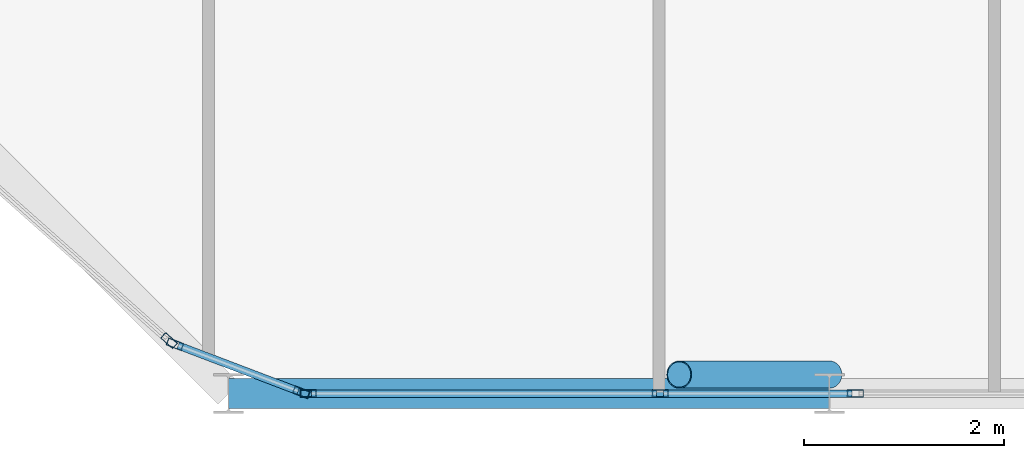
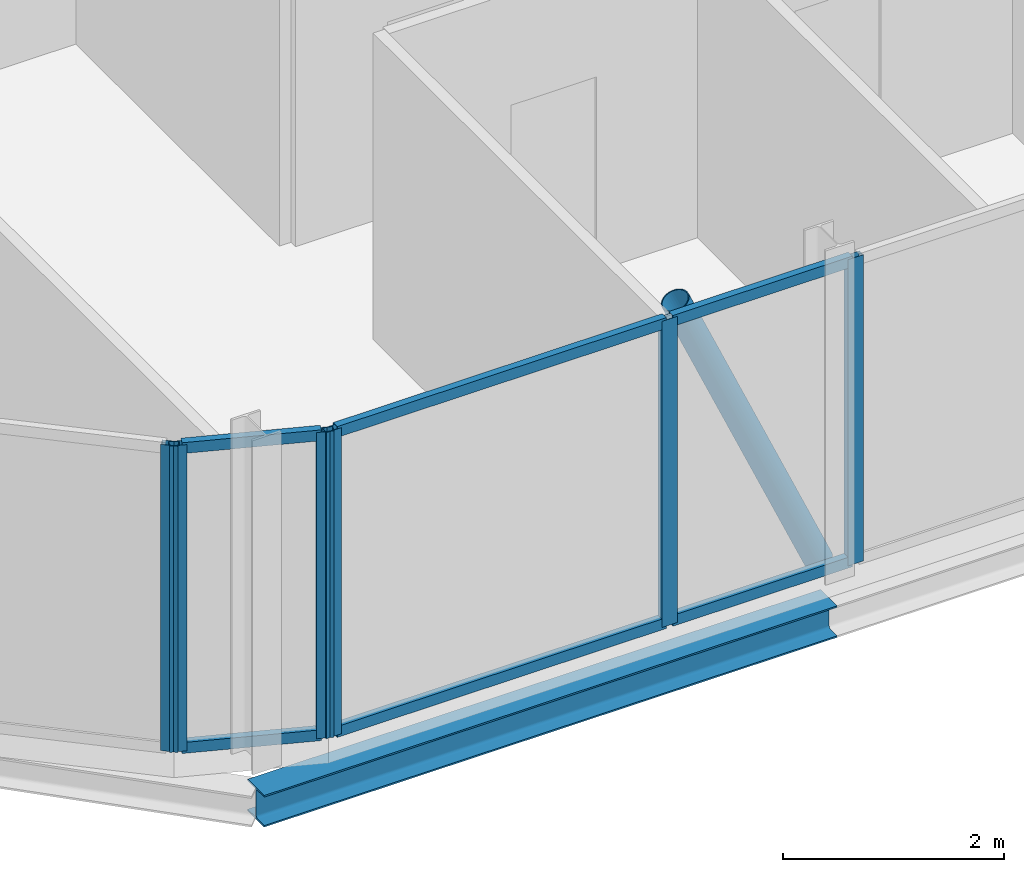
# One storey, part 6 of 27: 13 members, 1 beam, 5 elements without a shape of their own.
"""IFC4 building model written with IfcOpenShell, lengths in metres."""

import ifcopenshell
import ifcopenshell.guid

model = None  # the IFC model being written
_history = None  # IfcOwnerHistory: only IFC2X3 demands one
_inside = {}  # id of a spatial element -> (the spatial element, [elements in it])
_under = {}  # id of a project, library or spatial element -> (it, [spatial elements below it])
_declared = {}  # id of a project -> (the project, [libraries it declares])
_typed = {}  # id of a type object -> (the type object, [elements of that type])
_made_of = {}  # id of a material, layer set ... -> (it, [elements and type objects made of it])


def new_model(schema):
    """Start an empty IFC model of exactly this schema.

    Asked for "IFC4X3", IfcOpenShell would pick the latest addendum, in which some entities
    have other attributes; the version numbers below select the first issue.
    IFC2X3 requires an IfcOwnerHistory on every rooted entity: one is made here for all.
    """
    global model, _history
    if schema == "IFC4X3":
        model = ifcopenshell.file(schema_version=(4, 3, 0, 0))
    else:
        model = ifcopenshell.file(schema=schema)
    _inside.clear()
    _under.clear()
    _declared.clear()
    _typed.clear()
    _made_of.clear()
    _history = None
    if model.schema == "IFC2X3":
        org = make("IfcOrganization", Name="unknown")
        user = make(
            "IfcPersonAndOrganization",
            ThePerson=make("IfcPerson", FamilyName="unknown"),
            TheOrganization=org,
        )
        app = make(
            "IfcApplication",
            ApplicationDeveloper=org,
            Version="unknown",
            ApplicationFullName="unknown",
            ApplicationIdentifier="unknown",
        )
        _history = make(
            "IfcOwnerHistory",
            OwningUser=user,
            OwningApplication=app,
            ChangeAction="ADDED",
            CreationDate=0,
        )
    return model


def make(cls, **values):
    """One entity of the class cls with the attributes given. An attribute that is None is left unset."""
    return model.create_entity(
        cls, **{name: value for name, value in values.items() if value is not None}
    )


def rooted(cls, **values):
    """An entity with a GlobalId (a new one), such as an element, a storey or a relation."""
    return make(cls, GlobalId=ifcopenshell.guid.new(), OwnerHistory=_history, **values)


def si_unit(unit_type, name, prefix=None):
    """IfcSIUnit, for example si_unit("LENGTHUNIT", "METRE", prefix="MILLI")."""
    return make("IfcSIUnit", UnitType=unit_type, Prefix=prefix, Name=name)


def assignment(units):
    """IfcUnitAssignment: the units of a project."""
    return None if units is None else make("IfcUnitAssignment", Units=units)


def point(xyz):
    """IfcCartesianPoint."""
    return None if xyz is None else make("IfcCartesianPoint", Coordinates=xyz)


def direction(xyz):
    """IfcDirection."""
    return None if xyz is None else make("IfcDirection", DirectionRatios=xyz)


def frame(location, z_axis=None, x_axis=None):
    """IfcAxis2Placement3D, a coordinate frame: its origin and axes. An axis left out is left unset."""
    return make(
        "IfcAxis2Placement3D",
        Location=point(location),
        Axis=direction(z_axis),
        RefDirection=direction(x_axis),
    )


def frame_2d(location, x_axis=None):
    """IfcAxis2Placement2D, a coordinate frame in the plane: its origin and x axis."""
    return make(
        "IfcAxis2Placement2D", Location=point(location), RefDirection=direction(x_axis)
    )


def origin():
    """The frame at (0, 0, 0) with its axes left unset."""
    return frame((0.0, 0.0, 0.0))


def origin_2d():
    """The frame at (0, 0) in the plane with its x axis left unset."""
    return frame_2d((0.0, 0.0))


def place(relative_to, where):
    """IfcLocalPlacement: puts the frame where relative to a parent placement (None: the world)."""
    return make(
        "IfcLocalPlacement", PlacementRelTo=relative_to, RelativePlacement=where
    )


def context(
    kind, dimensions, precision=None, world=None, true_north=None, identifier=None
):
    """IfcGeometricRepresentationContext, for example the 3D "Model" context."""
    return make(
        "IfcGeometricRepresentationContext",
        ContextIdentifier=identifier,
        ContextType=kind,
        CoordinateSpaceDimension=dimensions,
        Precision=precision,
        WorldCoordinateSystem=world,
        TrueNorth=true_north,
    )


def subcontext(parent, identifier, kind, view, scale=None):
    """IfcGeometricRepresentationSubContext, for example "Body" below "Model"."""
    return make(
        "IfcGeometricRepresentationSubContext",
        ContextIdentifier=identifier,
        ContextType=kind,
        ParentContext=parent,
        TargetScale=scale,
        TargetView=view,
    )


def project(units=None, contexts=None):
    """IfcProject with its units and contexts."""
    return rooted(
        "IfcProject",
        Name="project",
        RepresentationContexts=contexts,
        UnitsInContext=assignment(units),
    )


def spatial(cls, under=None, at=None, **own):
    """A site, building, storey or space (cls), placed at a placement, below another one or the project."""
    s = rooted(cls, ObjectPlacement=at, **own)
    if under is not None:
        _under.setdefault(under.id(), (under, []))[1].append(s)
    return s


def profile(cls, at=None, kind="AREA", **sizes):
    """A parametric profile (cls). Its sizes go by their IFC names, for example OverallWidth=200.0."""
    return make(cls, ProfileType=kind, Position=at, **sizes)


def hollow_rectangle(**sizes):
    """IfcRectangleHollowProfileDef."""
    return profile("IfcRectangleHollowProfileDef", **sizes)


def hollow_circle(**sizes):
    """IfcCircleHollowProfileDef."""
    return profile("IfcCircleHollowProfileDef", **sizes)


def i_section(**sizes):
    """IfcIShapeProfileDef."""
    return profile("IfcIShapeProfileDef", **sizes)


def extrude(swept, where, along, depth):
    """IfcExtrudedAreaSolid: the profile swept, set in the frame where, extruded along a direction by depth."""
    return make(
        "IfcExtrudedAreaSolid",
        SweptArea=swept,
        Position=where,
        ExtrudedDirection=direction(along),
        Depth=depth,
    )


def shape(context_of_items, identifier, shape_type, items):
    """IfcShapeRepresentation: the items that make up one representation, for example the "Body"."""
    return make(
        "IfcShapeRepresentation",
        ContextOfItems=context_of_items,
        RepresentationIdentifier=identifier,
        RepresentationType=shape_type,
        Items=items,
    )


def material(Name=None, Category=None):
    """IfcMaterial."""
    return make("IfcMaterial", Name=Name, Category=Category)


def layer(
    of_material, thickness, ventilated=None, Name=None, Category=None, Priority=None
):
    """IfcMaterialLayer: one layer of a wall or slab, of a material (None: an air gap)."""
    return make(
        "IfcMaterialLayer",
        Material=of_material,
        LayerThickness=thickness,
        IsVentilated=ventilated,
        Name=Name,
        Category=Category,
        Priority=Priority,
    )


def layer_set(layers, Name=None):
    """IfcMaterialLayerSet."""
    return make("IfcMaterialLayerSet", MaterialLayers=layers, LayerSetName=Name)


def material_profile(
    of_material, cross_section, Name=None, Category=None, Priority=None
):
    """IfcMaterialProfile: a cross section and its material."""
    return make(
        "IfcMaterialProfile",
        Name=Name,
        Material=of_material,
        Profile=cross_section,
        Priority=Priority,
        Category=Category,
    )


def profile_set(profiles, Name=None, composite=None):
    """IfcMaterialProfileSet."""
    return make(
        "IfcMaterialProfileSet",
        Name=Name,
        MaterialProfiles=profiles,
        CompositeProfile=composite,
    )


def made_of(thing, what):
    """Note that an element or type object is made of a material, layer set ...; save() writes the relation."""
    if what is not None:
        _made_of.setdefault(what.id(), (what, []))[1].append(thing)
    return thing


def type_object(cls, material=None, **own):
    """A type object (cls), such as IfcWallType, which elements share."""
    return made_of(rooted(cls, **own), material)


def element(
    cls,
    number,
    at=None,
    inside=None,
    cuts=None,
    type_object=None,
    material=None,
    context=None,
    identifier="Body",
    shape_type=None,
    held_by="IfcProductDefinitionShape",
    body=None,
    shapes=None,
    **own,
):
    """One element of the class cls, such as IfcWall. Its Tag is "e" and its number.

    at: its placement. inside: the storey or other place that contains it. cuts: it is an
    opening in that element (IfcRelVoidsElement). A single representation is given by context,
    identifier, shape_type and body (its items); several are given by shapes. held_by: the class
    of the entity that holds the representations. save() writes the other relations.
    """
    e = rooted(cls, Tag="e%d" % number, ObjectPlacement=at, **own)
    if body is not None:
        shapes = [shape(context, identifier, shape_type, body)]
    if shapes is not None:
        e.Representation = make(held_by, Representations=shapes)
    if inside is not None:
        _inside.setdefault(inside.id(), (inside, []))[1].append(e)
    if cuts is not None:
        rooted(
            "IfcRelVoidsElement", RelatingBuildingElement=cuts, RelatedOpeningElement=e
        )
    if type_object is not None:
        _typed.setdefault(type_object.id(), (type_object, []))[1].append(e)
    return made_of(e, material)


def aggregate(whole, parts):
    """IfcRelAggregates: a whole, such as a stair, and the parts it consists of."""
    return rooted("IfcRelAggregates", RelatingObject=whole, RelatedObjects=parts)


def save(model, path):
    """Write the relations noted so far, then the file.

    IfcRelAggregates (storeys below a building ...), IfcRelContainedInSpatialStructure (elements
    in a storey), IfcRelDefinesByType, IfcRelAssociatesMaterial and IfcRelDeclares: one each for
    every whole, place, type object, material and project.
    """
    for whole, parts in _under.values():
        aggregate(whole, parts)
    for where, things in _inside.values():
        rooted(
            "IfcRelContainedInSpatialStructure",
            RelatedElements=things,
            RelatingStructure=where,
        )
    for kind, things in _typed.values():
        rooted("IfcRelDefinesByType", RelatedObjects=things, RelatingType=kind)
    for what, things in _made_of.values():
        rooted("IfcRelAssociatesMaterial", RelatedObjects=things, RelatingMaterial=what)
    for by, libraries in _declared.values():
        rooted("IfcRelDeclares", RelatingContext=by, RelatedDefinitions=libraries)
    model.write(path)


model = new_model("IFC4")

# Units and contexts
model_context = context("Model", 3, precision=1e-05, world=origin(), true_north=direction((0.0, 1.0)))
body_context = subcontext(model_context, "Body", "Model", "MODEL_VIEW")
ifc_project = project(units=[si_unit("LENGTHUNIT", "METRE"), si_unit("AREAUNIT", "SQUARE_METRE"), si_unit("VOLUMEUNIT", "CUBIC_METRE"), si_unit("PLANEANGLEUNIT", "RADIAN"), si_unit("MASSUNIT", "GRAM", prefix="KILO")], contexts=[model_context])

# Site, building, storey
site_placement = place(None, origin())
site = spatial("IfcSite", under=ifc_project, at=site_placement, CompositionType="ELEMENT")
building_placement = place(site_placement, origin())
building = spatial("IfcBuilding", under=site, at=building_placement, Name="Keshet Zoharim Tower", CompositionType="ELEMENT")
storey_placement = place(building_placement, frame((0.0, 0.0, 254.699951171875)))
storey = spatial("IfcBuildingStorey", under=building, at=storey_placement, Name="L63", CompositionType="ELEMENT", Elevation=254.699951171875)

# Beam
ifc_material_1 = material(Name="Steel S355", Category="steel")
ifc_material_profile_1 = material_profile(ifc_material_1, i_section(OverallWidth=0.300048828125, OverallDepth=0.35009765625, WebThickness=0.010009765625, FlangeThickness=0.017578125, FilletRadius=0.027099609375, at=origin_2d()), Name="HEA360")
ifc_profile_set_1 = profile_set([ifc_material_profile_1], Name="Steel S355")
beam_type = type_object("IfcBeamType", Name="BM-PRI-HA360", PredefinedType="BEAM", material=ifc_profile_set_1)
beam_placement = place(storey_placement, frame((21.0, 6.699951171875, -0.48486328125), z_axis=(1.0, 0.0, 0.0), x_axis=(0.0, 1.0, 0.0)))
element("IfcBeam", 1, at=beam_placement, inside=storey, type_object=beam_type, Name="L63 Primary Girder X-001", PredefinedType="BEAM", context=body_context, shape_type="SweptSolid", body=[
    extrude(i_section(OverallWidth=0.300048828125, OverallDepth=0.35009765625, WebThickness=0.010009765625, FlangeThickness=0.017578125, FilletRadius=0.027099609375, at=origin_2d()), origin(), (0.0, 0.0, 1.0), 6.0),
])

# Curtain wall, member
ifc_material_2 = material(Name="Aluminium 6063-T6", Category="aluminium")
ifc_layer = layer(ifc_material_2, 0.260009765625)
ifc_layer_set = layer_set([ifc_layer], Name="Aluminium 6063-T6")
curtain_wall_type = type_object("IfcCurtainWallType", Name="CW-SYS-06", PredefinedType="NOTDEFINED", material=ifc_layer_set)
curtain_wall_1_placement = place(storey_placement, origin())
curtain_wall_1 = element("IfcCurtainWall", 2, at=curtain_wall_1_placement, inside=storey, type_object=curtain_wall_type, Name="L63 Unitised Curtain Wall 14", PredefinedType="NOTDEFINED")
ifc_material_profile_2 = material_profile(ifc_material_2, hollow_rectangle(XDim=0.074951171875, YDim=0.159912109375, WallThickness=0.00390625, at=origin_2d()), Name="MUL-75x160")
ifc_profile_set_2 = profile_set([ifc_material_profile_2], Name="Aluminium 6063-T6")
member_type_1 = type_object("IfcMemberType", Name="CWM-M15", PredefinedType="MULLION", material=ifc_profile_set_2)
member_1_placement = place(storey_placement, frame((27.259765625, 6.699951171875, 0.0), z_axis=(0.0, 0.0, 1.0), x_axis=(0.0, -1.0, 0.0)))
member_1 = element("IfcMember", 3, at=member_1_placement, type_object=member_type_1, Name="CW-06 mullion 2", PredefinedType="MULLION", context=body_context, shape_type="SweptSolid", body=[
    extrude(hollow_rectangle(XDim=0.074951171875, YDim=0.159912109375, WallThickness=0.00390625, at=origin_2d()), origin(), (0.0, 0.0, 1.0), 3.39013671875),
])
aggregate(curtain_wall_1, [member_1])

curtain_wall_2_placement = place(storey_placement, origin())
curtain_wall_2 = element("IfcCurtainWall", 4, at=curtain_wall_2_placement, inside=storey, type_object=curtain_wall_type, Name="L63 Unitised Curtain Wall 14 Part 2", PredefinedType="NOTDEFINED")
member_2_placement = place(storey_placement, frame((25.310302734375, 6.699951171875, 0.0), z_axis=(0.0, 0.0, 1.0), x_axis=(0.0, -1.0, 0.0)))
member_2 = element("IfcMember", 5, at=member_2_placement, type_object=member_type_1, Name="CW-06 mullion 2", PredefinedType="MULLION", context=body_context, shape_type="SweptSolid", body=[
    extrude(hollow_rectangle(XDim=0.074951171875, YDim=0.159912109375, WallThickness=0.00390625, at=origin_2d()), origin(), (0.0, 0.0, 1.0), 3.39013671875),
])

curtain_wall_3_placement = place(storey_placement, origin())
curtain_wall_3 = element("IfcCurtainWall", 6, at=curtain_wall_3_placement, inside=storey, type_object=curtain_wall_type, Name="L63 Unitised Curtain Wall 14 Part 3", PredefinedType="NOTDEFINED")
member_3_placement = place(storey_placement, frame((21.794921875, 6.699951171875, 0.0), z_axis=(0.0, 0.0, 1.0), x_axis=(0.0, -1.0, 0.0)))
member_3 = element("IfcMember", 7, at=member_3_placement, type_object=member_type_1, Name="CW-06 mullion 2", PredefinedType="MULLION", context=body_context, shape_type="SweptSolid", body=[
    extrude(hollow_rectangle(XDim=0.074951171875, YDim=0.159912109375, WallThickness=0.00390625, at=origin_2d()), origin(), (0.0, 0.0, 1.0), 3.39013671875),
])

# Curtain wall, members
curtain_wall_4_placement = place(storey_placement, origin())
curtain_wall_4 = element("IfcCurtainWall", 8, at=curtain_wall_4_placement, inside=storey, type_object=curtain_wall_type, Name="L63 Unitised Curtain Wall 15", PredefinedType="NOTDEFINED")
member_4_placement = place(storey_placement, frame((21.727294921875, 6.71240234375, 0.0), z_axis=(0.0, 0.0, 1.0), x_axis=(-0.355439161326, -0.934699418314, 0.0)))
member_4 = element("IfcMember", 9, at=member_4_placement, type_object=member_type_1, Name="CW-06 mullion 1", PredefinedType="MULLION", context=body_context, shape_type="SweptSolid", body=[
    extrude(hollow_rectangle(XDim=0.074951171875, YDim=0.159912109375, WallThickness=0.00390625, at=origin_2d()), origin(), (0.0, 0.0, 1.0), 3.39013671875),
])
member_5_placement = place(storey_placement, frame((20.464599609375, 7.192626953125, 0.0), z_axis=(0.0, 0.0, 1.0), x_axis=(-0.355439161326, -0.934699418314, 0.0)))
member_5 = element("IfcMember", 10, at=member_5_placement, type_object=member_type_1, Name="CW-06 mullion 2", PredefinedType="MULLION", context=body_context, shape_type="SweptSolid", body=[
    extrude(hollow_rectangle(XDim=0.074951171875, YDim=0.159912109375, WallThickness=0.00390625, at=origin_2d()), origin(), (0.0, 0.0, 1.0), 3.39013671875),
])

# Curtain wall, member
curtain_wall_5_placement = place(storey_placement, origin())
curtain_wall_5 = element("IfcCurtainWall", 11, at=curtain_wall_5_placement, inside=storey, type_object=curtain_wall_type, Name="L63 Unitised Curtain Wall 16", PredefinedType="NOTDEFINED")
member_6_placement = place(storey_placement, frame((20.40576171875, 7.228271484375, 0.0), z_axis=(0.0, 0.0, 1.0), x_axis=(-0.664362180559, -0.747410792699, 0.0)))
member_6 = element("IfcMember", 12, at=member_6_placement, type_object=member_type_1, Name="CW-06 mullion 1", PredefinedType="MULLION", context=body_context, shape_type="SweptSolid", body=[
    extrude(hollow_rectangle(XDim=0.074951171875, YDim=0.159912109375, WallThickness=0.00390625, at=origin_2d()), origin(), (0.0, 0.0, 1.0), 3.39013671875),
])
aggregate(curtain_wall_5, [member_6])

# Member
ifc_material_profile_3 = material_profile(ifc_material_2, hollow_rectangle(XDim=0.074951171875, YDim=0.1201171875, WallThickness=0.00390625, at=origin_2d()), Name="TRN-75x120")
ifc_profile_set_3 = profile_set([ifc_material_profile_3], Name="Aluminium 6063-T6")
member_type_2 = type_object("IfcMemberType", Name="CWT-T12", PredefinedType="USERDEFINED", material=ifc_profile_set_3)
member_7_placement = place(storey_placement, frame((27.224853515625, 6.699951171875, 0.03515625), z_axis=(-1.0, 0.0, 0.0), x_axis=(0.0, -1.0, 0.0)))
member_7 = element("IfcMember", 13, at=member_7_placement, type_object=member_type_2, Name="CW-06 transom 1.1", ObjectType="TRANSOM", PredefinedType="USERDEFINED", context=body_context, shape_type="SweptSolid", body=[
    extrude(hollow_rectangle(XDim=0.074951171875, YDim=0.1201171875, WallThickness=0.00390625, at=origin_2d()), origin(), (0.0, 0.0, 1.0), 1.879638671875),
])

member_8_placement = place(storey_placement, frame((27.224853515625, 6.699951171875, 3.35498046875), z_axis=(-1.0, 0.0, 0.0), x_axis=(0.0, -1.0, 0.0)))
member_8 = element("IfcMember", 14, at=member_8_placement, type_object=member_type_2, Name="CW-06 transom 1.2", ObjectType="TRANSOM", PredefinedType="USERDEFINED", context=body_context, shape_type="SweptSolid", body=[
    extrude(hollow_rectangle(XDim=0.074951171875, YDim=0.1201171875, WallThickness=0.00390625, at=origin_2d()), origin(), (0.0, 0.0, 1.0), 1.879638671875),
])

aggregate(curtain_wall_2, [member_2, member_7, member_8])

member_9_placement = place(storey_placement, frame((25.275146484375, 6.699951171875, 0.03515625), z_axis=(-1.0, 0.0, 0.0), x_axis=(0.0, -1.0, 0.0)))
member_9 = element("IfcMember", 15, at=member_9_placement, type_object=member_type_2, Name="CW-06 transom 1.1", ObjectType="TRANSOM", PredefinedType="USERDEFINED", context=body_context, shape_type="SweptSolid", body=[
    extrude(hollow_rectangle(XDim=0.074951171875, YDim=0.1201171875, WallThickness=0.00390625, at=origin_2d()), origin(), (0.0, 0.0, 1.0), 3.445068359375),
])

member_10_placement = place(storey_placement, frame((25.275146484375, 6.699951171875, 3.35498046875), z_axis=(-1.0, 0.0, 0.0), x_axis=(0.0, -1.0, 0.0)))
member_10 = element("IfcMember", 16, at=member_10_placement, type_object=member_type_2, Name="CW-06 transom 1.2", ObjectType="TRANSOM", PredefinedType="USERDEFINED", context=body_context, shape_type="SweptSolid", body=[
    extrude(hollow_rectangle(XDim=0.074951171875, YDim=0.1201171875, WallThickness=0.00390625, at=origin_2d()), origin(), (0.0, 0.0, 1.0), 3.445068359375),
])

aggregate(curtain_wall_3, [member_3, member_9, member_10])

member_11_placement = place(storey_placement, frame((21.694580078125, 6.724853515625, 0.03515625), z_axis=(-0.934689881536, 0.355464239206, 0.0), x_axis=(-0.355464239206, -0.934689881536, 0.0)))
member_11 = element("IfcMember", 17, at=member_11_placement, type_object=member_type_2, Name="CW-06 transom 1.1", ObjectType="TRANSOM", PredefinedType="USERDEFINED", context=body_context, shape_type="SweptSolid", body=[
    extrude(hollow_rectangle(XDim=0.074951171875, YDim=0.1201171875, WallThickness=0.00390625, at=origin_2d()), origin(), (0.0, 0.0, 1.0), 1.281005859375),
])

member_12_placement = place(storey_placement, frame((21.694580078125, 6.724853515625, 3.35498046875), z_axis=(-0.934689881536, 0.355464239206, 0.0), x_axis=(-0.355464239206, -0.934689881536, 0.0)))
member_12 = element("IfcMember", 18, at=member_12_placement, type_object=member_type_2, Name="CW-06 transom 1.2", ObjectType="TRANSOM", PredefinedType="USERDEFINED", context=body_context, shape_type="SweptSolid", body=[
    extrude(hollow_rectangle(XDim=0.074951171875, YDim=0.1201171875, WallThickness=0.00390625, at=origin_2d()), origin(), (0.0, 0.0, 1.0), 1.281005859375),
])

aggregate(curtain_wall_4, [member_4, member_5, member_11, member_12])

ifc_material_profile_4 = material_profile(ifc_material_1, hollow_circle(Radius=0.136474609375, WallThickness=0.010009765625, at=origin_2d()), Name="CHS273x10")
ifc_profile_set_4 = profile_set([ifc_material_profile_4], Name="Steel S355")
member_type_3 = type_object("IfcMemberType", Name="MB-BR-C273", PredefinedType="BRACE", material=ifc_profile_set_4)
member_13_placement = place(storey_placement, frame((27.0, 6.889892578125, 0.0), z_axis=(-0.404622528463, 0.0, 0.914483793984), x_axis=(0.0, -1.0, 0.0)))
element("IfcMember", 19, at=member_13_placement, inside=storey, type_object=member_type_3, Name="L63 Perimeter Tube Brace 02", PredefinedType="BRACE", context=body_context, shape_type="SweptSolid", body=[
    extrude(hollow_circle(Radius=0.136474609375, WallThickness=0.010009765625, at=origin_2d()), origin(), (0.0, 0.0, 1.0), 3.707275390625),
])

save(model, "model.ifc")
